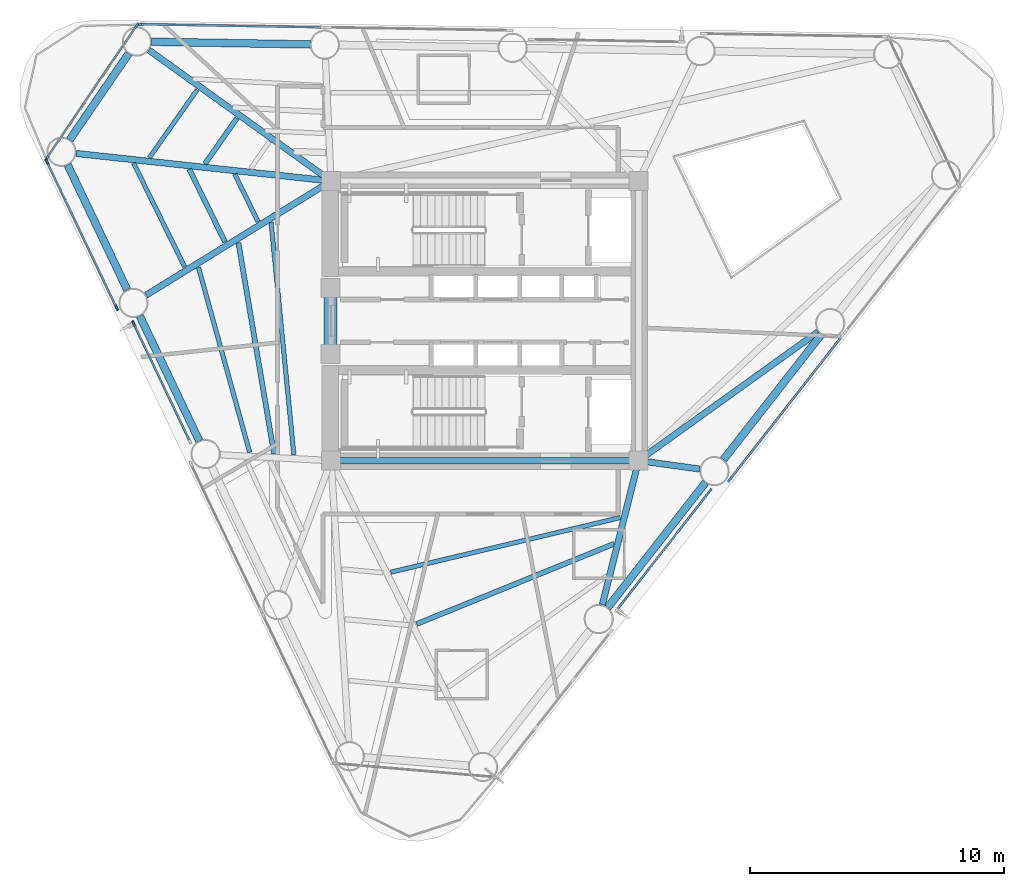
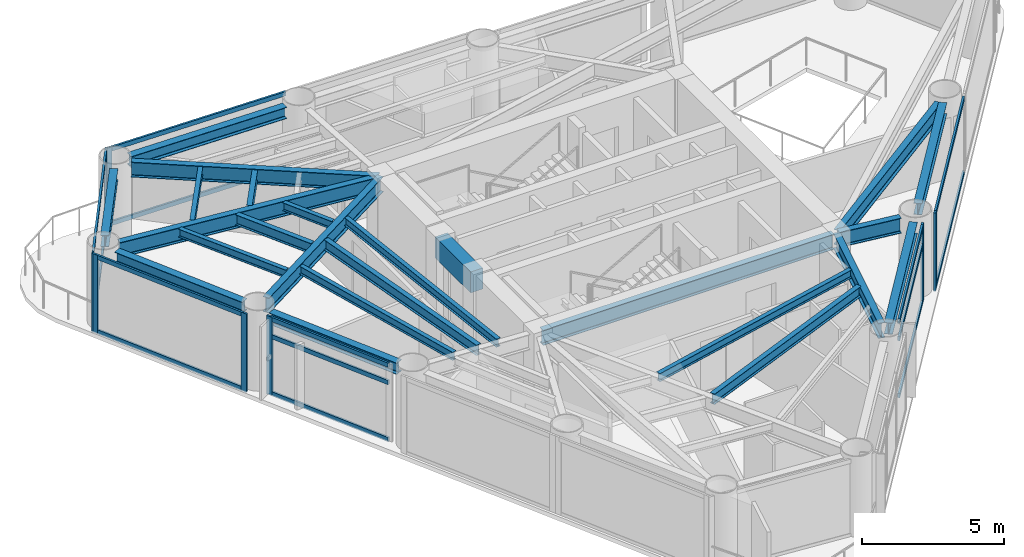
# One storey, part 2 of 9: 24 beams, 22 members, 6 elements without a shape of their own.
"""IFC4 building model written with IfcOpenShell, lengths in metres."""

from ifc_helpers import new_model, si_unit, direction, frame, origin, origin_2d, place, context, subcontext, project, spatial, rectangle, i_section, extrude, source, transform, mapped, material, layer, layer_set, material_profile, profile_set, type_object, element, aggregate, save


model = new_model("IFC4")

# Units and contexts
model_context = context("Model", 3, precision=1e-05, world=origin(), true_north=direction((0.0, 1.0)))
body_context = subcontext(model_context, "Body", "Model", "MODEL_VIEW")
ifc_project = project(units=[si_unit("LENGTHUNIT", "METRE"), si_unit("AREAUNIT", "SQUARE_METRE"), si_unit("VOLUMEUNIT", "CUBIC_METRE"), si_unit("PLANEANGLEUNIT", "RADIAN"), si_unit("MASSUNIT", "GRAM", prefix="KILO")], contexts=[model_context])

# Site, building, storey
site_placement = place(None, origin())
site = spatial("IfcSite", under=ifc_project, at=site_placement, CompositionType="ELEMENT")
building_placement = place(site_placement, origin())
building = spatial("IfcBuilding", under=site, at=building_placement, Name="Yunling Apex Tower", CompositionType="ELEMENT")
storey_placement = place(building_placement, frame((0.0, 0.0, 212.14990234375)))
storey = spatial("IfcBuildingStorey", under=building, at=storey_placement, Name="L52", CompositionType="ELEMENT", Elevation=212.14990234375)

# Beams
ifc_material_1 = material(Name="Concrete C50", Category="concrete")
ifc_material_profile_1 = material_profile(ifc_material_1, rectangle(XDim=0.5, YDim=0.89990234375, at=origin_2d()))
ifc_profile_set_1 = profile_set([ifc_material_profile_1], Name="Concrete C50")
beam_type_1 = type_object("IfcBeamType", Name="BC-CPL-2", PredefinedType="BEAM", material=ifc_profile_set_1)
shared_shape_1 = source(origin(), body_context, "Body", "SweptSolid", [
    extrude(rectangle(XDim=0.5, YDim=0.89990234375, at=origin_2d()), origin(), (0.0, 0.0, 1.0), 2.5),
])
beam_1_placement = place(storey_placement, frame((-6.074951171875, -1.25, 2.820068359375), z_axis=(0.0, 1.0, 0.0), x_axis=(-1.0, 0.0, 0.0)))
element("IfcBeam", 1, at=beam_1_placement, inside=storey, type_object=beam_type_1, Name="L52 Core West Portal Coupling Beam", PredefinedType="BEAM", context=body_context, shape_type="MappedRepresentation", body=[
    mapped(shared_shape_1, transform((0.0, 0.0, 0.0), scale=1.0)),
])
ifc_material_2 = material(Name="Steel Q355B", Category="steel")
ifc_material_profile_2 = material_profile(ifc_material_2, i_section(OverallWidth=0.25, OverallDepth=0.64990234375, WebThickness=0.011962890625, FlangeThickness=0.02001953125, FilletRadius=0.02392578125, at=origin_2d()))
ifc_profile_set_2 = profile_set([ifc_material_profile_2], Name="Steel Q355B")
beam_type_2 = type_object("IfcBeamType", Name="BG-PRI-4", PredefinedType="USERDEFINED", material=ifc_profile_set_2)
shared_shape_2 = source(origin(), body_context, "Body", "SweptSolid", [
    extrude(i_section(OverallWidth=0.25, OverallDepth=0.64990234375, WebThickness=0.011962890625, FlangeThickness=0.02001953125, FilletRadius=0.02392578125, at=origin_2d()), origin(), (0.0, 0.0, 1.0), 11.7998046875),
])
beam_2_placement = place(storey_placement, frame((-5.89990234375, -5.5, 2.945068359375), z_axis=(1.0, 0.0, 0.0), x_axis=(0.0, 1.0, 0.0)))
element("IfcBeam", 2, at=beam_2_placement, inside=storey, type_object=beam_type_2, Name="L52 Core Ring Tie Beam 1", ObjectType="GIRDER", PredefinedType="USERDEFINED", context=body_context, shape_type="MappedRepresentation", body=[
    mapped(shared_shape_2, transform((0.0, 0.0, 0.0), scale=1.0)),
])
ifc_material_profile_3 = material_profile(ifc_material_2, i_section(OverallWidth=0.300048828125, OverallDepth=0.489990234375, WebThickness=0.010986328125, FlangeThickness=0.01806640625, FilletRadius=0.02197265625, at=origin_2d()))
ifc_profile_set_3 = profile_set([ifc_material_profile_3], Name="Steel Q355B")
beam_type_3 = type_object("IfcBeamType", Name="BP-SPN-2", PredefinedType="SPANDREL", material=ifc_profile_set_3)
shared_shape_3 = source(origin(), body_context, "Body", "SweptSolid", [
    extrude(i_section(OverallWidth=0.300048828125, OverallDepth=0.489990234375, WebThickness=0.010986328125, FlangeThickness=0.01806640625, FilletRadius=0.02197265625, at=origin_2d()), origin(), (0.0, 0.0, 1.0), 6.253173828125),
])
for number, where, z_axis, x_axis, name in (
    (3, (4.831298828125, -11.2841796875, 3.025146484375), (0.61621666878, 0.787576673803, 0.0), (-0.787576673803, 0.61621666878, 0.0), "L52 Perimeter Spandrel Beam 2"),
    (4, (9.3857421875, -5.463134765625, 3.025146484375), (0.61621666878, 0.787576673803, 0.0), (-0.787576673803, 0.61621666878, 0.0), "L52 Perimeter Spandrel Beam 3"),
    (5, (-6.86669921875, 10.875, 3.025146484375), (-0.999859061432, 0.016788605428, 0.0), (-0.016788605428, -0.999859061432, 0.0), "L52 Perimeter Spandrel Beam 9"),
):
    element("IfcBeam", number, at=place(storey_placement, frame(where, z_axis=z_axis, x_axis=x_axis)), inside=storey, type_object=beam_type_3, Name=name, PredefinedType="SPANDREL", context=body_context, shape_type="MappedRepresentation", body=[
        mapped(shared_shape_3, transform((0.0, 0.0, 0.0), scale=1.0)),
    ])
shared_shape_4 = source(origin(), body_context, "Body", "SweptSolid", [
    extrude(i_section(OverallWidth=0.300048828125, OverallDepth=0.489990234375, WebThickness=0.010986328125, FlangeThickness=0.01806640625, FilletRadius=0.02197265625, at=origin_2d()), origin(), (0.0, 0.0, 1.0), 4.121337890625),
])
beam_3_placement = place(storey_placement, frame((-14.009033203125, 10.519775390625, 3.025146484375), z_axis=(-0.564775228093, -0.825244776858, 0.0), x_axis=(0.825244776858, -0.564775228093, 0.0)))
element("IfcBeam", 6, at=beam_3_placement, inside=storey, type_object=beam_type_3, Name="L52 Perimeter Spandrel Beam 10", PredefinedType="SPANDREL", context=body_context, shape_type="MappedRepresentation", body=[
    mapped(shared_shape_4, transform((0.0, 0.0, 0.0), scale=1.0)),
])
shared_shape_5 = source(origin(), body_context, "Body", "SweptSolid", [
    extrude(i_section(OverallWidth=0.300048828125, OverallDepth=0.489990234375, WebThickness=0.010986328125, FlangeThickness=0.01806640625, FilletRadius=0.02197265625, at=origin_2d()), origin(), (0.0, 0.0, 1.0), 5.4482421875),
])
for number, where, z_axis, x_axis, name in (
    (7, (-16.4130859375, 6.135498046875, 3.025146484375), (0.430538797564, -0.902572071246, 0.0), (0.902572071246, 0.430538797564, 0.0), "L52 Perimeter Spandrel Beam 11"),
    (8, (-13.577392578125, 0.190673828125, 3.025146484375), (0.430502292287, -0.902589483839, 0.0), (0.902589483839, 0.430502292287, 0.0), "L52 Perimeter Spandrel Beam 12"),
):
    element("IfcBeam", number, at=place(storey_placement, frame(where, z_axis=z_axis, x_axis=x_axis)), inside=storey, type_object=beam_type_3, Name=name, PredefinedType="SPANDREL", context=body_context, shape_type="MappedRepresentation", body=[
        mapped(shared_shape_5, transform((0.0, 0.0, 0.0), scale=1.0)),
    ])
shared_shape_6 = source(origin(), body_context, "Body", "SweptSolid", [
    extrude(i_section(OverallWidth=0.25, OverallDepth=0.64990234375, WebThickness=0.011962890625, FlangeThickness=0.02001953125, FilletRadius=0.02392578125, at=origin_2d()), origin(), (0.0, 0.0, 1.0), 5.763427734375),
])
beam_4_placement = place(storey_placement, frame((4.623291015625, -11.166748046875, 2.945068359375), z_axis=(0.244159894622, 0.969734987436, 0.0), x_axis=(-0.969734987436, 0.244159894622, 0.0)))
element("IfcBeam", 9, at=beam_4_placement, inside=storey, type_object=beam_type_2, Name="L52 Radial Primary Girder R02", ObjectType="GIRDER", PredefinedType="USERDEFINED", context=body_context, shape_type="MappedRepresentation", body=[
    mapped(shared_shape_6, transform((0.0, 0.0, 0.0), scale=1.0)),
])
shared_shape_7 = source(origin(), body_context, "Body", "SweptSolid", [
    extrude(i_section(OverallWidth=0.25, OverallDepth=0.64990234375, WebThickness=0.011962890625, FlangeThickness=0.02001953125, FilletRadius=0.02392578125, at=origin_2d()), origin(), (0.0, 0.0, 1.0), 2.35009765625),
])
beam_5_placement = place(storey_placement, frame((8.45751953125, -5.831787109375, 2.945068359375), z_axis=(-0.990639545436, 0.136503813203, 0.0), x_axis=(-0.136503813203, -0.990639545436, 0.0)))
element("IfcBeam", 10, at=beam_5_placement, inside=storey, type_object=beam_type_2, Name="L52 Radial Primary Girder R03", ObjectType="GIRDER", PredefinedType="USERDEFINED", context=body_context, shape_type="MappedRepresentation", body=[
    mapped(shared_shape_7, transform((0.0, 0.0, 0.0), scale=1.0)),
])
shared_shape_8 = source(origin(), body_context, "Body", "SweptSolid", [
    extrude(i_section(OverallWidth=0.25, OverallDepth=0.64990234375, WebThickness=0.011962890625, FlangeThickness=0.02001953125, FilletRadius=0.02392578125, at=origin_2d()), origin(), (0.0, 0.0, 1.0), 8.616455078125),
])
beam_6_placement = place(storey_placement, frame((13.11572265625, -0.43017578125, 2.945068359375), z_axis=(-0.812487192657, -0.58297904059, 0.0), x_axis=(0.58297904059, -0.812487192657, 0.0)))
element("IfcBeam", 11, at=beam_6_placement, inside=storey, type_object=beam_type_2, Name="L52 Radial Primary Girder R04", ObjectType="GIRDER", PredefinedType="USERDEFINED", context=body_context, shape_type="MappedRepresentation", body=[
    mapped(shared_shape_8, transform((0.0, 0.0, 0.0), scale=1.0)),
])
shared_shape_9 = source(origin(), body_context, "Body", "SweptSolid", [
    extrude(i_section(OverallWidth=0.25, OverallDepth=0.64990234375, WebThickness=0.011962890625, FlangeThickness=0.02001953125, FilletRadius=0.02392578125, at=origin_2d()), origin(), (0.0, 0.0, 1.0), 8.742919921875),
])
beam_7_placement = place(storey_placement, frame((-13.21435546875, 10.649169921875, 2.945068359375), z_axis=(0.812022401907, -0.583626266373, 0.0), x_axis=(0.583626266373, 0.812022401907, 0.0)))
element("IfcBeam", 12, at=beam_7_placement, inside=storey, type_object=beam_type_2, Name="L52 Radial Primary Girder R10", ObjectType="GIRDER", PredefinedType="USERDEFINED", context=body_context, shape_type="MappedRepresentation", body=[
    mapped(shared_shape_9, transform((0.0, 0.0, 0.0), scale=1.0)),
])
shared_shape_10 = source(origin(), body_context, "Body", "SweptSolid", [
    extrude(i_section(OverallWidth=0.25, OverallDepth=0.64990234375, WebThickness=0.011962890625, FlangeThickness=0.02001953125, FilletRadius=0.02392578125, at=origin_2d()), origin(), (0.0, 0.0, 1.0), 10.007080078125),
])
beam_8_placement = place(storey_placement, frame((-16.078369140625, 6.586181640625, 2.945068359375), z_axis=(0.994184902243, -0.107686490111, 0.0), x_axis=(0.107686490111, 0.994184902243, 0.0)))
element("IfcBeam", 13, at=beam_8_placement, inside=storey, type_object=beam_type_2, Name="L52 Radial Primary Girder R11", ObjectType="GIRDER", PredefinedType="USERDEFINED", context=body_context, shape_type="MappedRepresentation", body=[
    mapped(shared_shape_10, transform((0.0, 0.0, 0.0), scale=1.0)),
])
shared_shape_11 = source(origin(), body_context, "Body", "SweptSolid", [
    extrude(i_section(OverallWidth=0.25, OverallDepth=0.64990234375, WebThickness=0.011962890625, FlangeThickness=0.02001953125, FilletRadius=0.02392578125, at=origin_2d()), origin(), (0.0, 0.0, 1.0), 8.4697265625),
])
beam_9_placement = place(storey_placement, frame((-13.326171875, 1.010498046875, 2.945068359375), z_axis=(0.851035190572, 0.525108659621, 0.0), x_axis=(-0.525108659621, 0.851035190572, 0.0)))
element("IfcBeam", 14, at=beam_9_placement, inside=storey, type_object=beam_type_2, Name="L52 Radial Primary Girder R12", ObjectType="GIRDER", PredefinedType="USERDEFINED", context=body_context, shape_type="MappedRepresentation", body=[
    mapped(shared_shape_11, transform((0.0, 0.0, 0.0), scale=1.0)),
])
ifc_material_profile_4 = material_profile(ifc_material_2, i_section(OverallWidth=0.199951171875, OverallDepth=0.449951171875, WebThickness=0.009033203125, FlangeThickness=0.013916015625, FilletRadius=0.01806640625, at=origin_2d()))
ifc_profile_set_4 = profile_set([ifc_material_profile_4], Name="Steel Q355B")
beam_type_4 = type_object("IfcBeamType", Name="BS-SEC-3", PredefinedType="BEAM", material=ifc_profile_set_4)
shared_shape_12 = source(origin(), body_context, "Body", "SweptSolid", [
    extrude(i_section(OverallWidth=0.199951171875, OverallDepth=0.449951171875, WebThickness=0.009033203125, FlangeThickness=0.013916015625, FilletRadius=0.01806640625, at=origin_2d()), origin(), (0.0, 0.0, 1.0), 8.396240234375),
])
beam_10_placement = place(storey_placement, frame((-2.684326171875, -11.9287109375, 3.045166015625), z_axis=(0.926431402479, 0.376463619092, 0.0), x_axis=(-0.376463619092, 0.926431402479, 0.0)))
element("IfcBeam", 15, at=beam_10_placement, inside=storey, type_object=beam_type_4, Name="L52 Composite Floor Beam BS-1", PredefinedType="BEAM", context=body_context, shape_type="MappedRepresentation", body=[
    mapped(shared_shape_12, transform((0.0, 0.0, 0.0), scale=1.0)),
])
ifc_material_profile_5 = material_profile(ifc_material_2, i_section(OverallWidth=0.175048828125, OverallDepth=0.35009765625, WebThickness=0.007080078125, FlangeThickness=0.010986328125, FilletRadius=0.013916015625, at=origin_2d()))
ifc_profile_set_5 = profile_set([ifc_material_profile_5], Name="Steel Q355B")
beam_type_5 = type_object("IfcBeamType", Name="BJ-JST-1", PredefinedType="JOIST", material=ifc_profile_set_5)
shared_shape_13 = source(origin(), body_context, "Body", "SweptSolid", [
    extrude(i_section(OverallWidth=0.175048828125, OverallDepth=0.35009765625, WebThickness=0.007080078125, FlangeThickness=0.010986328125, FilletRadius=0.013916015625, at=origin_2d()), origin(), (0.0, 0.0, 1.0), 9.2919921875),
])
beam_11_placement = place(storey_placement, frame((-3.69970703125, -9.88916015625, 3.09521484375), z_axis=(0.972847358166, 0.231447656523, 0.0), x_axis=(-0.231447656523, 0.972847358166, 0.0)))
element("IfcBeam", 16, at=beam_11_placement, inside=storey, type_object=beam_type_5, Name="L52 Composite Floor Joist BJ3-1", PredefinedType="JOIST", context=body_context, shape_type="MappedRepresentation", body=[
    mapped(shared_shape_13, transform((0.0, 0.0, 0.0), scale=1.0)),
])
shared_shape_14 = source(origin(), body_context, "Body", "SweptSolid", [
    extrude(i_section(OverallWidth=0.199951171875, OverallDepth=0.449951171875, WebThickness=0.009033203125, FlangeThickness=0.013916015625, FilletRadius=0.01806640625, at=origin_2d()), origin(), (0.0, 0.0, 1.0), 2.18505859375),
])
beam_12_placement = place(storey_placement, frame((-9.756591796875, 7.966796875, 3.045166015625), z_axis=(-0.57454920808, -0.818470040682, 0.0), x_axis=(0.818470040682, -0.57454920808, 0.0)))
element("IfcBeam", 17, at=beam_12_placement, inside=storey, type_object=beam_type_4, Name="L52 Composite Floor Beam BS-10", PredefinedType="BEAM", context=body_context, shape_type="MappedRepresentation", body=[
    mapped(shared_shape_14, transform((0.0, 0.0, 0.0), scale=1.0)),
])
shared_shape_15 = source(origin(), body_context, "Body", "SweptSolid", [
    extrude(i_section(OverallWidth=0.175048828125, OverallDepth=0.35009765625, WebThickness=0.007080078125, FlangeThickness=0.010986328125, FilletRadius=0.013916015625, at=origin_2d()), origin(), (0.0, 0.0, 1.0), 3.270263671875),
])
beam_13_placement = place(storey_placement, frame((-11.318603515625, 9.089599609375, 3.09521484375), z_axis=(-0.575524843555, -0.817784295797, 0.0), x_axis=(0.817784295797, -0.575524843555, 0.0)))
element("IfcBeam", 18, at=beam_13_placement, inside=storey, type_object=beam_type_5, Name="L52 Composite Floor Joist BJ1-10", PredefinedType="JOIST", context=body_context, shape_type="MappedRepresentation", body=[
    mapped(shared_shape_15, transform((0.0, 0.0, 0.0), scale=1.0)),
])
shared_shape_16 = source(origin(), body_context, "Body", "SweptSolid", [
    extrude(i_section(OverallWidth=0.199951171875, OverallDepth=0.449951171875, WebThickness=0.009033203125, FlangeThickness=0.013916015625, FilletRadius=0.01806640625, at=origin_2d()), origin(), (0.0, 0.0, 1.0), 3.1845703125),
])
beam_14_placement = place(storey_placement, frame((-11.63037109375, 5.968505859375, 3.045166015625), z_axis=(0.441285246196, -0.897366887895, 0.0), x_axis=(0.897366887895, 0.441285246196, 0.0)))
element("IfcBeam", 19, at=beam_14_placement, inside=storey, type_object=beam_type_4, Name="L52 Composite Floor Beam BS-11", PredefinedType="BEAM", context=body_context, shape_type="MappedRepresentation", body=[
    mapped(shared_shape_16, transform((0.0, 0.0, 0.0), scale=1.0)),
])
shared_shape_17 = source(origin(), body_context, "Body", "SweptSolid", [
    extrude(i_section(OverallWidth=0.175048828125, OverallDepth=0.35009765625, WebThickness=0.007080078125, FlangeThickness=0.010986328125, FilletRadius=0.013916015625, at=origin_2d()), origin(), (0.0, 0.0, 1.0), 4.541259765625),
])
beam_15_placement = place(storey_placement, frame((-13.81884765625, 6.205810546875, 3.09521484375), z_axis=(0.442066776363, -0.896982143209, 0.0), x_axis=(0.896982143209, 0.442066776363, 0.0)))
element("IfcBeam", 20, at=beam_15_placement, inside=storey, type_object=beam_type_5, Name="L52 Composite Floor Joist BJ1-11", PredefinedType="JOIST", context=body_context, shape_type="MappedRepresentation", body=[
    mapped(shared_shape_17, transform((0.0, 0.0, 0.0), scale=1.0)),
])
shared_shape_18 = source(origin(), body_context, "Body", "SweptSolid", [
    extrude(i_section(OverallWidth=0.175048828125, OverallDepth=0.35009765625, WebThickness=0.007080078125, FlangeThickness=0.010986328125, FilletRadius=0.013916015625, at=origin_2d()), origin(), (0.0, 0.0, 1.0), 2.07421875),
])
beam_16_placement = place(storey_placement, frame((-9.839599609375, 5.7744140625, 3.09521484375), z_axis=(0.439758949759, -0.898115842254, 0.0), x_axis=(0.898115842254, 0.439758949759, 0.0)))
element("IfcBeam", 21, at=beam_16_placement, inside=storey, type_object=beam_type_5, Name="L52 Composite Floor Joist BJ3-11", PredefinedType="JOIST", context=body_context, shape_type="MappedRepresentation", body=[
    mapped(shared_shape_18, transform((0.0, 0.0, 0.0), scale=1.0)),
])
shared_shape_19 = source(origin(), body_context, "Body", "SweptSolid", [
    extrude(i_section(OverallWidth=0.199951171875, OverallDepth=0.449951171875, WebThickness=0.009033203125, FlangeThickness=0.013916015625, FilletRadius=0.01806640625, at=origin_2d()), origin(), (0.0, 0.0, 1.0), 8.41943359375),
])
beam_17_placement = place(storey_placement, frame((-9.695556640625, 3.076416015625, 3.045166015625), z_axis=(0.16647230798, -0.986046130095, 0.0), x_axis=(0.986046130095, 0.16647230798, 0.0)))
element("IfcBeam", 22, at=beam_17_placement, inside=storey, type_object=beam_type_4, Name="L52 Composite Floor Beam BS-12", PredefinedType="BEAM", context=body_context, shape_type="MappedRepresentation", body=[
    mapped(shared_shape_19, transform((0.0, 0.0, 0.0), scale=1.0)),
])
shared_shape_20 = source(origin(), body_context, "Body", "SweptSolid", [
    extrude(i_section(OverallWidth=0.175048828125, OverallDepth=0.35009765625, WebThickness=0.007080078125, FlangeThickness=0.010986328125, FilletRadius=0.013916015625, at=origin_2d()), origin(), (0.0, 0.0, 1.0), 7.554931640625),
])
beam_18_placement = place(storey_placement, frame((-11.265380859375, 2.1015625, 3.09521484375), z_axis=(0.266700380195, -0.963779490965, 0.0), x_axis=(0.963779490965, 0.266700380195, 0.0)))
element("IfcBeam", 23, at=beam_18_placement, inside=storey, type_object=beam_type_5, Name="L52 Composite Floor Joist BJ1-12", PredefinedType="JOIST", context=body_context, shape_type="MappedRepresentation", body=[
    mapped(shared_shape_20, transform((0.0, 0.0, 0.0), scale=1.0)),
])
shared_shape_21 = source(origin(), body_context, "Body", "SweptSolid", [
    extrude(i_section(OverallWidth=0.175048828125, OverallDepth=0.35009765625, WebThickness=0.007080078125, FlangeThickness=0.010986328125, FilletRadius=0.013916015625, at=origin_2d()), origin(), (0.0, 0.0, 1.0), 9.183837890625),
])
beam_19_placement = place(storey_placement, frame((-8.4091796875, 3.87548828125, 3.09521484375), z_axis=(0.097534767925, -0.995232118174, 0.0), x_axis=(0.995232118174, 0.097534767925, 0.0)))
element("IfcBeam", 24, at=beam_19_placement, inside=storey, type_object=beam_type_5, Name="L52 Composite Floor Joist BJ3-12", PredefinedType="JOIST", context=body_context, shape_type="MappedRepresentation", body=[
    mapped(shared_shape_21, transform((0.0, 0.0, 0.0), scale=1.0)),
])

# Curtain wall, member
ifc_material_3 = material(Name="Bronze anodised aluminium", Category="aluminium")
ifc_layer = layer(ifc_material_3, 0.239990234375)
ifc_layer_set = layer_set([ifc_layer], Name="Bronze anodised aluminium")
curtain_wall_type = type_object("IfcCurtainWallType", Name="CW-SYS-3", PredefinedType="NOTDEFINED", material=ifc_layer_set)
curtain_wall_1_placement = place(storey_placement, origin())
curtain_wall_1 = element("IfcCurtainWall", 25, at=curtain_wall_1_placement, inside=storey, type_object=curtain_wall_type, Name="CW-L52-F1-B2", PredefinedType="NOTDEFINED")
ifc_material_profile_6 = material_profile(ifc_material_3, rectangle(XDim=0.080078125, YDim=0.239990234375, at=origin_2d()))
ifc_profile_set_6 = profile_set([ifc_material_profile_6], Name="Bronze anodised aluminium")
member_type_1 = type_object("IfcMemberType", Name="CW-MUL-3", PredefinedType="MULLION", material=ifc_profile_set_6)
shared_shape_22 = source(origin(), body_context, "Body", "SweptSolid", [
    extrude(rectangle(XDim=0.080078125, YDim=0.239990234375, at=origin_2d()), origin(), (0.0, 0.0, 1.0), 3.369873046875),
])
member_1_placement = place(storey_placement, frame((8.846923828125, -6.70361328125, -0.0498046875), z_axis=(0.0, 0.0, 1.0), x_axis=(-0.787576499109, 0.616216892053, 0.0)))
member_1 = element("IfcMember", 26, at=member_1_placement, type_object=member_type_1, Name="CW-SYS-3 mullion 2", PredefinedType="MULLION", context=body_context, shape_type="MappedRepresentation", body=[
    mapped(shared_shape_22, transform((0.0, 0.0, 0.0), scale=1.0)),
])

curtain_wall_2_placement = place(storey_placement, origin())
curtain_wall_2 = element("IfcCurtainWall", 27, at=curtain_wall_2_placement, inside=storey, type_object=curtain_wall_type, Name="CW-L52-F1-B3", PredefinedType="NOTDEFINED")
member_2_placement = place(storey_placement, frame((9.64453125, -6.23583984375, -0.0498046875), z_axis=(0.0, 0.0, 1.0), x_axis=(-0.787589332433, 0.616200489644, 0.0)))
member_2 = element("IfcMember", 28, at=member_2_placement, type_object=member_type_1, Name="CW-SYS-3 mullion 1", PredefinedType="MULLION", context=body_context, shape_type="MappedRepresentation", body=[
    mapped(shared_shape_22, transform((0.0, 0.0, 0.0), scale=1.0)),
])

curtain_wall_3_placement = place(storey_placement, origin())
curtain_wall_3 = element("IfcCurtainWall", 29, at=curtain_wall_3_placement, inside=storey, type_object=curtain_wall_type, Name="CW-L52-F2-B4", PredefinedType="NOTDEFINED")
member_3_placement = place(storey_placement, frame((-13.556396484375, 11.667236328125, -0.0498046875), z_axis=(0.0, 0.0, 1.0), x_axis=(-0.016761362354, -0.999859518498, 0.0)))
member_3 = element("IfcMember", 30, at=member_3_placement, type_object=member_type_1, Name="CW-SYS-3 mullion 2", PredefinedType="MULLION", context=body_context, shape_type="MappedRepresentation", body=[
    mapped(shared_shape_22, transform((0.0, 0.0, 0.0), scale=1.0)),
])

# Curtain wall, members
curtain_wall_4_placement = place(storey_placement, origin())
curtain_wall_4 = element("IfcCurtainWall", 31, at=curtain_wall_4_placement, inside=storey, type_object=curtain_wall_type, Name="CW-L52-CRN2", PredefinedType="NOTDEFINED")
member_4_placement = place(storey_placement, frame((-13.698974609375, 11.6162109375, -0.0498046875), z_axis=(0.0, 0.0, 1.0), x_axis=(0.828106898006, -0.56057021458, 0.0)))
member_4 = element("IfcMember", 32, at=member_4_placement, type_object=member_type_1, Name="CW-SYS-3 mullion 1", PredefinedType="MULLION", context=body_context, shape_type="MappedRepresentation", body=[
    mapped(shared_shape_22, transform((0.0, 0.0, 0.0), scale=1.0)),
])
member_5_placement = place(storey_placement, frame((-17.231201171875, 6.398193359375, -0.0498046875), z_axis=(0.0, 0.0, 1.0), x_axis=(0.828106898006, -0.56057021458, 0.0)))
member_5 = element("IfcMember", 33, at=member_5_placement, type_object=member_type_1, Name="CW-SYS-3 mullion 2", PredefinedType="MULLION", context=body_context, shape_type="MappedRepresentation", body=[
    mapped(shared_shape_22, transform((0.0, 0.0, 0.0), scale=1.0)),
])

curtain_wall_5_placement = place(storey_placement, origin())
curtain_wall_5 = element("IfcCurtainWall", 34, at=curtain_wall_5_placement, inside=storey, type_object=curtain_wall_type, Name="CW-L52-F3-B1", PredefinedType="NOTDEFINED")
member_6_placement = place(storey_placement, frame((-17.219970703125, 6.248046875, -0.0498046875), z_axis=(0.0, 0.0, 1.0), x_axis=(0.902582193367, 0.430517577128, 0.0)))
member_6 = element("IfcMember", 35, at=member_6_placement, type_object=member_type_1, Name="CW-SYS-3 mullion 1", PredefinedType="MULLION", context=body_context, shape_type="MappedRepresentation", body=[
    mapped(shared_shape_22, transform((0.0, 0.0, 0.0), scale=1.0)),
])
member_7_placement = place(storey_placement, frame((-14.48779296875, 0.52001953125, -0.0498046875), z_axis=(0.0, 0.0, 1.0), x_axis=(0.902582193367, 0.430517577128, 0.0)))
member_7 = element("IfcMember", 36, at=member_7_placement, type_object=member_type_1, Name="CW-SYS-3 mullion 2", PredefinedType="MULLION", context=body_context, shape_type="MappedRepresentation", body=[
    mapped(shared_shape_22, transform((0.0, 0.0, 0.0), scale=1.0)),
])

# Curtain wall, member
curtain_wall_6_placement = place(storey_placement, origin())
curtain_wall_6 = element("IfcCurtainWall", 37, at=curtain_wall_6_placement, inside=storey, type_object=curtain_wall_type, Name="CW-L52-F3-B2", PredefinedType="NOTDEFINED")
member_8_placement = place(storey_placement, frame((-13.810791015625, -0.110107421875, -0.0498046875), z_axis=(0.0, 0.0, 1.0), x_axis=(0.902583049107, 0.430515783062, 0.0)))
member_8 = element("IfcMember", 38, at=member_8_placement, type_object=member_type_1, Name="CW-SYS-3 mullion 1", PredefinedType="MULLION", context=body_context, shape_type="MappedRepresentation", body=[
    mapped(shared_shape_22, transform((0.0, 0.0, 0.0), scale=1.0)),
])

# Member
ifc_material_profile_7 = material_profile(ifc_material_3, rectangle(XDim=0.080078125, YDim=0.18505859375, at=origin_2d()))
ifc_profile_set_7 = profile_set([ifc_material_profile_7], Name="Bronze anodised aluminium")
member_type_2 = type_object("IfcMemberType", Name="CW-TRN-3", PredefinedType="USERDEFINED", material=ifc_profile_set_7)
shared_shape_23 = source(origin(), body_context, "Body", "SweptSolid", [
    extrude(rectangle(XDim=0.080078125, YDim=0.18505859375, at=origin_2d()), origin(), (0.0, 0.0, 1.0), 5.8388671875),
])
member_9_placement = place(storey_placement, frame((5.226806640625, -11.33056640625, 0.0400390625), z_axis=(0.616198894741, 0.787590580264, 0.0), x_axis=(-0.787590580264, 0.616198894741, 0.0)))
member_9 = element("IfcMember", 39, at=member_9_placement, type_object=member_type_2, Name="CW-SYS-3 transom 1.1", ObjectType="TRANSOM", PredefinedType="USERDEFINED", context=body_context, shape_type="MappedRepresentation", body=[
    mapped(shared_shape_23, transform((0.0, 0.0, 0.0), scale=1.0)),
])

member_10_placement = place(storey_placement, frame((5.226806640625, -11.33056640625, 2.4853515625), z_axis=(0.616198894741, 0.787590580264, 0.0), x_axis=(-0.787590580264, 0.616198894741, 0.0)))
member_10 = element("IfcMember", 40, at=member_10_placement, type_object=member_type_2, Name="CW-SYS-3 transom 1.2", ObjectType="TRANSOM", PredefinedType="USERDEFINED", context=body_context, shape_type="MappedRepresentation", body=[
    mapped(shared_shape_23, transform((0.0, 0.0, 0.0), scale=1.0)),
])

member_11_placement = place(storey_placement, frame((5.226806640625, -11.33056640625, 3.22998046875), z_axis=(0.616198894741, 0.787590580264, 0.0), x_axis=(-0.787590580264, 0.616198894741, 0.0)))
member_11 = element("IfcMember", 41, at=member_11_placement, type_object=member_type_2, Name="CW-SYS-3 transom 1.3", ObjectType="TRANSOM", PredefinedType="USERDEFINED", context=body_context, shape_type="MappedRepresentation", body=[
    mapped(shared_shape_23, transform((0.0, 0.0, 0.0), scale=1.0)),
])

aggregate(curtain_wall_1, [member_1, member_9, member_10, member_11])

shared_shape_24 = source(origin(), body_context, "Body", "SweptSolid", [
    extrude(rectangle(XDim=0.080078125, YDim=0.18505859375, at=origin_2d()), origin(), (0.0, 0.0, 1.0), 7.0791015625),
])
member_12_placement = place(storey_placement, frame((9.666748046875, -6.20751953125, 0.0400390625), z_axis=(0.616192015574, 0.78759596237, 0.0), x_axis=(-0.78759596237, 0.616192015574, 0.0)))
member_12 = element("IfcMember", 42, at=member_12_placement, type_object=member_type_2, Name="CW-SYS-3 transom 1.1", ObjectType="TRANSOM", PredefinedType="USERDEFINED", context=body_context, shape_type="MappedRepresentation", body=[
    mapped(shared_shape_24, transform((0.0, 0.0, 0.0), scale=1.0)),
])

member_13_placement = place(storey_placement, frame((9.666748046875, -6.20751953125, 3.22998046875), z_axis=(0.616192015574, 0.78759596237, 0.0), x_axis=(-0.78759596237, 0.616192015574, 0.0)))
member_13 = element("IfcMember", 43, at=member_13_placement, type_object=member_type_2, Name="CW-SYS-3 transom 1.2", ObjectType="TRANSOM", PredefinedType="USERDEFINED", context=body_context, shape_type="MappedRepresentation", body=[
    mapped(shared_shape_24, transform((0.0, 0.0, 0.0), scale=1.0)),
])

aggregate(curtain_wall_2, [member_2, member_12, member_13])

shared_shape_25 = source(origin(), body_context, "Body", "SweptSolid", [
    extrude(rectangle(XDim=0.080078125, YDim=0.18505859375, at=origin_2d()), origin(), (0.0, 0.0, 1.0), 7.078857421875),
])
member_14_placement = place(storey_placement, frame((-6.4423828125, 11.548095703125, 0.0400390625), z_axis=(-0.999859516724, 0.016761468219, 0.0), x_axis=(-0.016761468219, -0.999859516724, 0.0)))
member_14 = element("IfcMember", 44, at=member_14_placement, type_object=member_type_2, Name="CW-SYS-3 transom 1.1", ObjectType="TRANSOM", PredefinedType="USERDEFINED", context=body_context, shape_type="MappedRepresentation", body=[
    mapped(shared_shape_25, transform((0.0, 0.0, 0.0), scale=1.0)),
])

member_15_placement = place(storey_placement, frame((-6.4423828125, 11.548095703125, 3.22998046875), z_axis=(-0.999859516724, 0.016761468219, 0.0), x_axis=(-0.016761468219, -0.999859516724, 0.0)))
member_15 = element("IfcMember", 45, at=member_15_placement, type_object=member_type_2, Name="CW-SYS-3 transom 1.2", ObjectType="TRANSOM", PredefinedType="USERDEFINED", context=body_context, shape_type="MappedRepresentation", body=[
    mapped(shared_shape_25, transform((0.0, 0.0, 0.0), scale=1.0)),
])

aggregate(curtain_wall_3, [member_3, member_14, member_15])

shared_shape_26 = source(origin(), body_context, "Body", "SweptSolid", [
    extrude(rectangle(XDim=0.080078125, YDim=0.18505859375, at=origin_2d()), origin(), (0.0, 0.0, 1.0), 6.229248046875),
])
member_16_placement = place(storey_placement, frame((-13.71923828125, 11.58642578125, 0.0400390625), z_axis=(-0.560574268249, -0.828104153942, 0.0), x_axis=(0.828104153942, -0.560574268249, 0.0)))
member_16 = element("IfcMember", 46, at=member_16_placement, type_object=member_type_2, Name="CW-SYS-3 transom 1.1", ObjectType="TRANSOM", PredefinedType="USERDEFINED", context=body_context, shape_type="MappedRepresentation", body=[
    mapped(shared_shape_26, transform((0.0, 0.0, 0.0), scale=1.0)),
])

member_17_placement = place(storey_placement, frame((-13.71923828125, 11.58642578125, 3.22998046875), z_axis=(-0.560574268249, -0.828104153942, 0.0), x_axis=(0.828104153942, -0.560574268249, 0.0)))
member_17 = element("IfcMember", 47, at=member_17_placement, type_object=member_type_2, Name="CW-SYS-3 transom 1.2", ObjectType="TRANSOM", PredefinedType="USERDEFINED", context=body_context, shape_type="MappedRepresentation", body=[
    mapped(shared_shape_26, transform((0.0, 0.0, 0.0), scale=1.0)),
])

aggregate(curtain_wall_4, [member_4, member_5, member_16, member_17])

shared_shape_27 = source(origin(), body_context, "Body", "SweptSolid", [
    extrude(rectangle(XDim=0.080078125, YDim=0.18505859375, at=origin_2d()), origin(), (0.0, 0.0, 1.0), 6.2744140625),
])
member_18_placement = place(storey_placement, frame((-17.20458984375, 6.215576171875, 0.0400390625), z_axis=(0.430513491492, -0.902584142141, 0.0), x_axis=(0.902584142141, 0.430513491492, 0.0)))
member_18 = element("IfcMember", 48, at=member_18_placement, type_object=member_type_2, Name="CW-SYS-3 transom 1.1", ObjectType="TRANSOM", PredefinedType="USERDEFINED", context=body_context, shape_type="MappedRepresentation", body=[
    mapped(shared_shape_27, transform((0.0, 0.0, 0.0), scale=1.0)),
])

member_19_placement = place(storey_placement, frame((-17.20458984375, 6.215576171875, 3.22998046875), z_axis=(0.430513491492, -0.902584142141, 0.0), x_axis=(0.902584142141, 0.430513491492, 0.0)))
member_19 = element("IfcMember", 49, at=member_19_placement, type_object=member_type_2, Name="CW-SYS-3 transom 1.2", ObjectType="TRANSOM", PredefinedType="USERDEFINED", context=body_context, shape_type="MappedRepresentation", body=[
    mapped(shared_shape_27, transform((0.0, 0.0, 0.0), scale=1.0)),
])

aggregate(curtain_wall_5, [member_6, member_7, member_18, member_19])

shared_shape_28 = source(origin(), body_context, "Body", "SweptSolid", [
    extrude(rectangle(XDim=0.080078125, YDim=0.18505859375, at=origin_2d()), origin(), (0.0, 0.0, 1.0), 5.034423828125),
])
member_20_placement = place(storey_placement, frame((-13.795166015625, -0.142578125, 0.0400390625), z_axis=(0.430492583081, -0.902594114712, 0.0), x_axis=(0.902594114712, 0.430492583081, 0.0)))
member_20 = element("IfcMember", 50, at=member_20_placement, type_object=member_type_2, Name="CW-SYS-3 transom 1.1", ObjectType="TRANSOM", PredefinedType="USERDEFINED", context=body_context, shape_type="MappedRepresentation", body=[
    mapped(shared_shape_28, transform((0.0, 0.0, 0.0), scale=1.0)),
])

member_21_placement = place(storey_placement, frame((-13.795166015625, -0.142578125, 2.4853515625), z_axis=(0.430492583081, -0.902594114712, 0.0), x_axis=(0.902594114712, 0.430492583081, 0.0)))
member_21 = element("IfcMember", 51, at=member_21_placement, type_object=member_type_2, Name="CW-SYS-3 transom 1.2", ObjectType="TRANSOM", PredefinedType="USERDEFINED", context=body_context, shape_type="MappedRepresentation", body=[
    mapped(shared_shape_28, transform((0.0, 0.0, 0.0), scale=1.0)),
])

member_22_placement = place(storey_placement, frame((-13.795166015625, -0.142578125, 3.22998046875), z_axis=(0.430492583081, -0.902594114712, 0.0), x_axis=(0.902594114712, 0.430492583081, 0.0)))
member_22 = element("IfcMember", 52, at=member_22_placement, type_object=member_type_2, Name="CW-SYS-3 transom 1.3", ObjectType="TRANSOM", PredefinedType="USERDEFINED", context=body_context, shape_type="MappedRepresentation", body=[
    mapped(shared_shape_28, transform((0.0, 0.0, 0.0), scale=1.0)),
])

aggregate(curtain_wall_6, [member_8, member_20, member_21, member_22])

save(model, "model.ifc")
